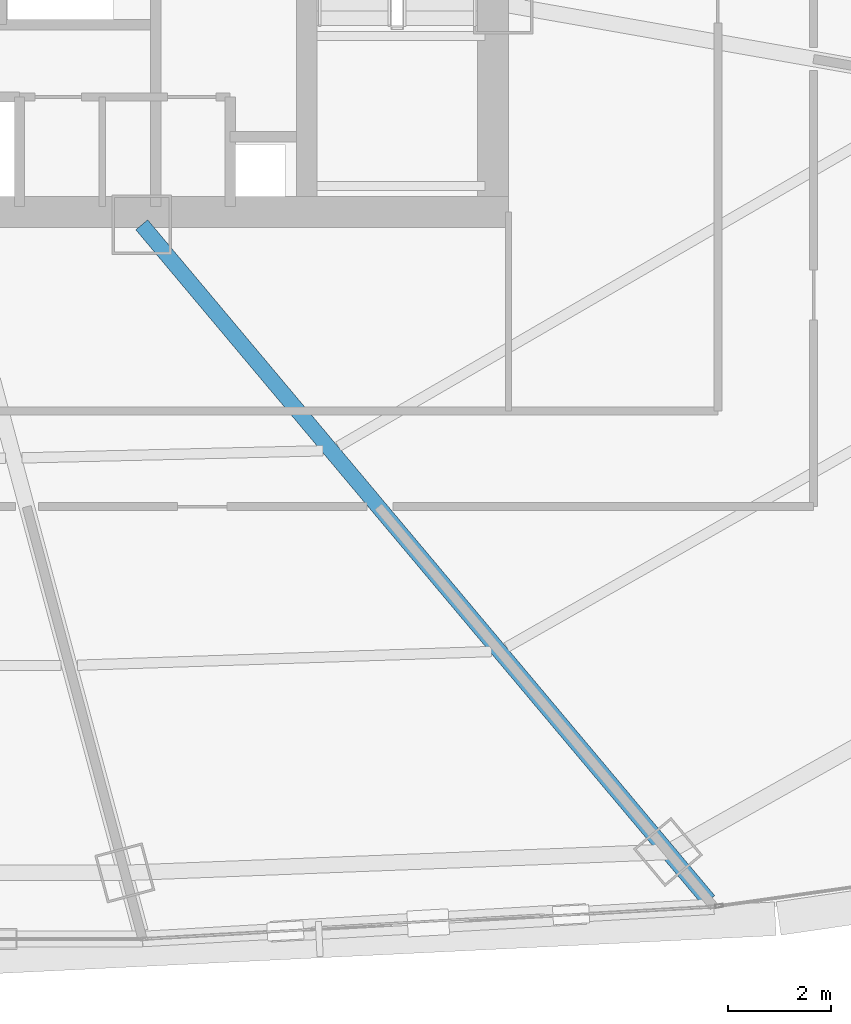
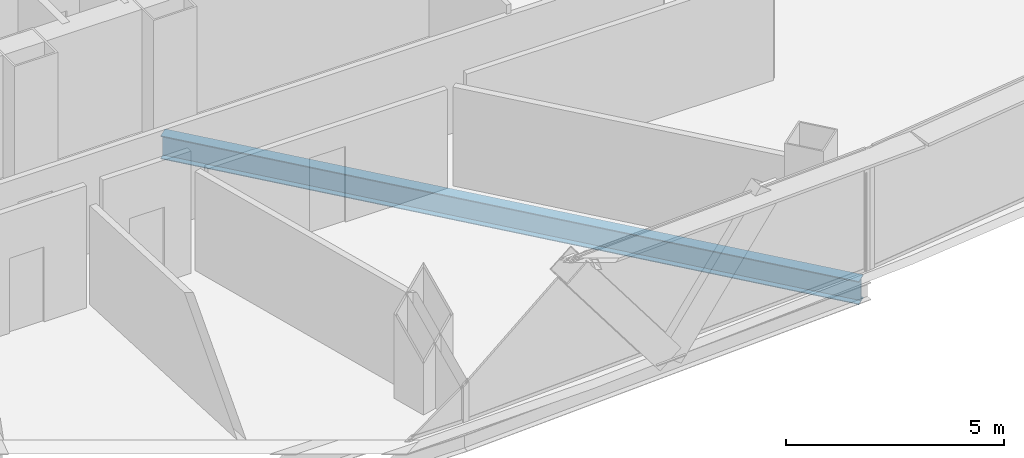
# One storey, part 15 of 42: 1 beam.
"""IFC4 building model written with IfcOpenShell, lengths in metres."""

from ifc_helpers import new_model, si_unit, direction, frame, origin, origin_2d, place, context, subcontext, project, spatial, i_section, extrude, source, transform, mapped, material, material_profile, profile_set, type_object, element, save


model = new_model("IFC4")

# Units and contexts
model_context = context("Model", 3, precision=1e-05, world=origin(), true_north=direction((0.0, 1.0)))
body_context = subcontext(model_context, "Body", "Model", "MODEL_VIEW")
ifc_project = project(units=[si_unit("LENGTHUNIT", "METRE"), si_unit("AREAUNIT", "SQUARE_METRE"), si_unit("VOLUMEUNIT", "CUBIC_METRE"), si_unit("PLANEANGLEUNIT", "RADIAN"), si_unit("MASSUNIT", "GRAM", prefix="KILO"), si_unit("THERMODYNAMICTEMPERATUREUNIT", "KELVIN"), si_unit("POWERUNIT", "WATT")], contexts=[model_context])

# Site, building, storey
site_placement = place(None, origin())
site = spatial("IfcSite", under=ifc_project, at=site_placement, CompositionType="ELEMENT")
building_placement = place(site_placement, origin())
building = spatial("IfcBuilding", under=site, at=building_placement, Name="Yunzhuo Pagoda Commons", CompositionType="ELEMENT")
storey_placement = place(building_placement, frame((0.0, 0.0, 151.909912109375)))
storey = spatial("IfcBuildingStorey", under=building, at=storey_placement, Name="L38", CompositionType="ELEMENT", Elevation=151.909912109375)

# Beam
ifc_material = material(Name="Structural steel Q355B", Category="steel")
ifc_material_profile = material_profile(ifc_material, i_section(OverallWidth=0.300048828125, OverallDepth=0.64990234375, WebThickness=0.012939453125, FlangeThickness=0.02197265625, at=origin_2d()), Name="Structural steel Q355B")
ifc_profile_set = profile_set([ifc_material_profile], Name="Structural steel Q355B")
beam_type = type_object("IfcBeamType", Name="B-RG2 Beam HN 650x300x13x22", PredefinedType="BEAM", material=ifc_profile_set)
shared_shape = source(origin(), body_context, "Body", "SweptSolid", [
    extrude(i_section(OverallWidth=0.300048828125, OverallDepth=0.64990234375, WebThickness=0.012939453125, FlangeThickness=0.02197265625, at=origin_2d()), origin(), (0.0, 0.0, 1.0), 17.05224609375),
])
beam_placement = place(storey_placement, frame((64.373291015625, 14.187255859375, -0.5849609375), z_axis=(-0.642795794804, 0.766037574916, 0.0), x_axis=(-0.766037574916, -0.642795794804, 0.0)))
element("IfcBeam", 1, at=beam_placement, inside=storey, type_object=beam_type, Name="L38 radial floor girder F1C4", PredefinedType="BEAM", context=body_context, shape_type="MappedRepresentation", body=[
    mapped(shared_shape, transform((0.0, 0.0, 0.0), scale=1.0)),
])

save(model, "model.ifc")
